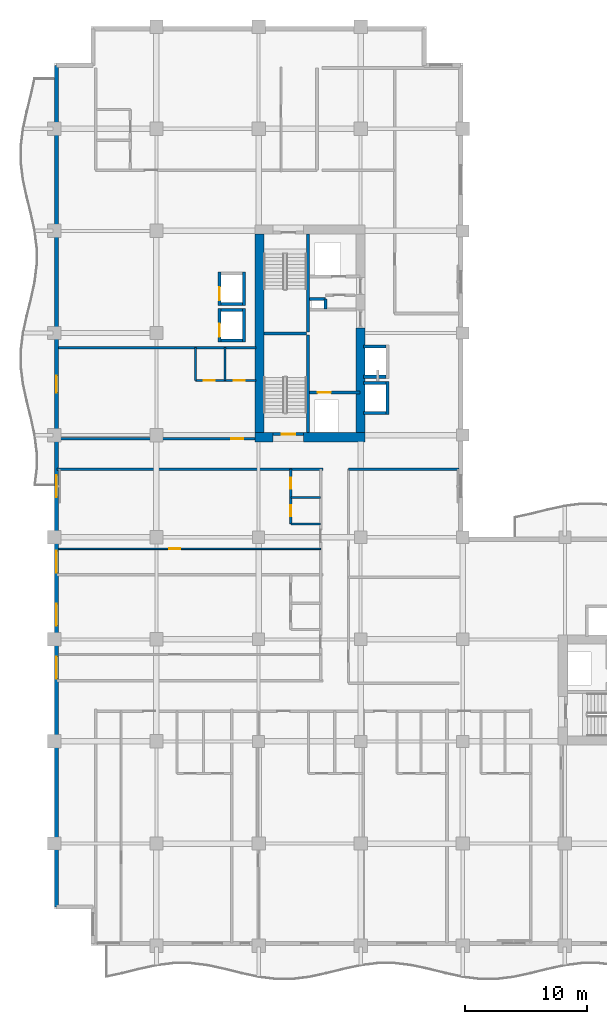
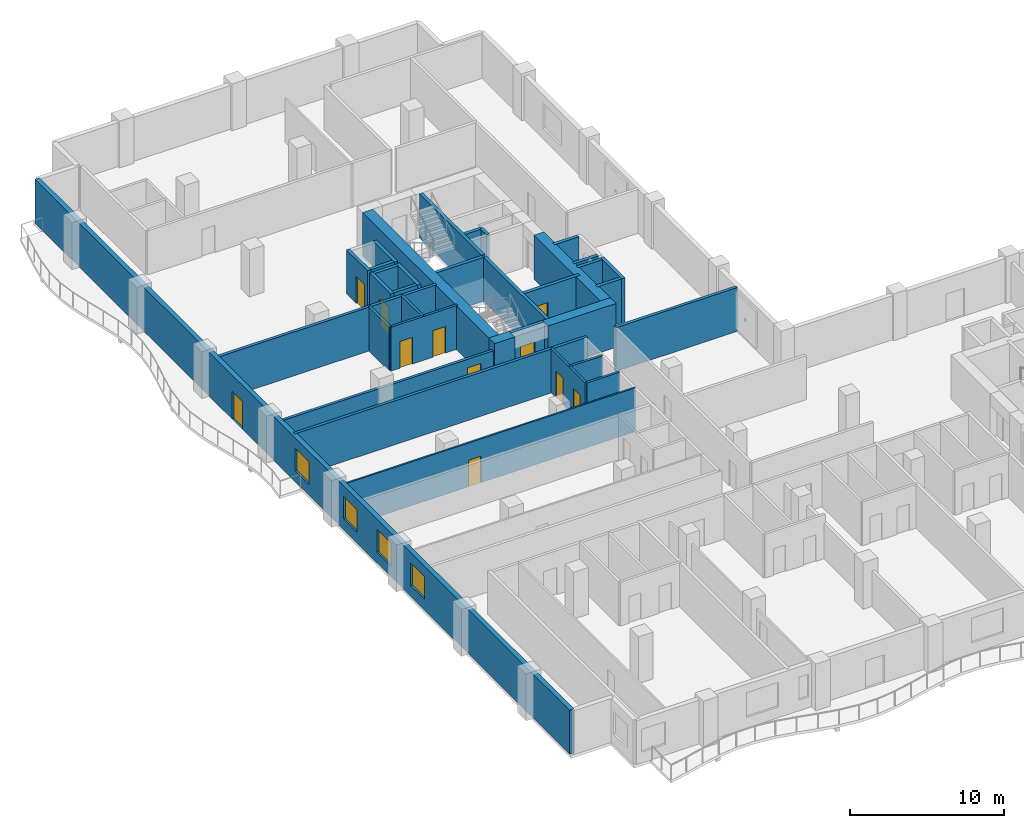
# One storey, part 7 of 16: 35 walls, 11 doors, 4 windows, 15 openings.
"""IFC4 building model written with IfcOpenShell, lengths in metres."""

from ifc_helpers import new_model, si_unit, direction, frame, frame_2d, origin, place, context, subcontext, project, spatial, rectangle, extrude, material, layer, layer_set, type_object, element, fill, save


model = new_model("IFC4")

# Units and contexts
model_context = context("Model", 3, precision=1e-05, world=origin(), true_north=direction((0.0, 1.0)))
body_context = subcontext(model_context, "Body", "Model", "MODEL_VIEW")
ifc_project = project(units=[si_unit("LENGTHUNIT", "METRE"), si_unit("AREAUNIT", "SQUARE_METRE"), si_unit("VOLUMEUNIT", "CUBIC_METRE"), si_unit("PLANEANGLEUNIT", "RADIAN"), si_unit("MASSUNIT", "GRAM", prefix="KILO")], contexts=[model_context])

# Site, building, storey
site_placement = place(None, origin())
site = spatial("IfcSite", under=ifc_project, at=site_placement, CompositionType="ELEMENT")
building_placement = place(site_placement, origin())
building = spatial("IfcBuilding", under=site, at=building_placement, Name="Koriwani Terraces Tower", CompositionType="ELEMENT")
storey_placement = place(building_placement, frame((0.0, 0.0, 186.5)))
storey = spatial("IfcBuildingStorey", under=building, at=storey_placement, Name="L45", CompositionType="ELEMENT", Elevation=186.5)

# Walls
ifc_material_1 = material(Name="Concrete C60/75", Category="concrete")
ifc_layer_1 = layer(ifc_material_1, 0.75, Name="Concrete C60/75")
ifc_layer_set_1 = layer_set([ifc_layer_1], Name="Concrete C60/75")
wall_type_1 = type_object("IfcWallType", Name="WALL_CORE_RC_750", PredefinedType="SHEAR", material=ifc_layer_set_1)
wall_1_placement = place(storey_placement, frame((16.5, 41.824951171875, 0.0), z_axis=(0.0, 0.0, 1.0), x_axis=(1.0, 0.0, 0.0)))
element("IfcWall", 1, at=wall_1_placement, inside=storey, type_object=wall_type_1, Name="L45 West Split Core Shear Wall S1", PredefinedType="SHEAR", context=body_context, shape_type="SweptSolid", body=[
    extrude(rectangle(XDim=1.5, YDim=0.75, at=frame_2d((0.75, 0.0))), origin(), (0.0, 0.0, 1.0), 3.469970703125),
])
wall_2_placement = place(storey_placement, frame((20.5, 41.824951171875, 0.0), z_axis=(0.0, 0.0, 1.0), x_axis=(1.0, 0.0, 0.0)))
element("IfcWall", 2, at=wall_2_placement, inside=storey, type_object=wall_type_1, Name="L45 West Split Core Shear Wall S2", PredefinedType="SHEAR", context=body_context, shape_type="SweptSolid", body=[
    extrude(rectangle(XDim=5.074951171875, YDim=0.75, at=frame_2d((2.53759765625, 0.0))), origin(), (0.0, 0.0, 1.0), 3.469970703125),
])
wall_3_placement = place(storey_placement, frame((16.875, 42.199951171875, 0.0), z_axis=(0.0, 0.0, 1.0), x_axis=(0.0, 1.0, 0.0)))
element("IfcWall", 3, at=wall_3_placement, inside=storey, type_object=wall_type_1, Name="L45 West Split Core Shear Wall W1", PredefinedType="SHEAR", context=body_context, shape_type="SweptSolid", body=[
    extrude(rectangle(XDim=16.35009765625, YDim=0.75, at=frame_2d((8.175048828125, 0.0))), origin(), (0.0, 0.0, 1.0), 3.469970703125),
])
wall_4_placement = place(storey_placement, frame((25.199951171875, 42.199951171875, 0.0), z_axis=(0.0, 0.0, 1.0), x_axis=(0.0, 1.0, 0.0)))
element("IfcWall", 4, at=wall_4_placement, inside=storey, type_object=wall_type_1, Name="L45 West Split Core Shear Wall E1", PredefinedType="SHEAR", context=body_context, shape_type="SweptSolid", body=[
    extrude(rectangle(XDim=8.60009765625, YDim=0.75, at=frame_2d((4.300048828125, 0.0))), origin(), (0.0, 0.0, 1.0), 3.469970703125),
])

# Wall, opening, door
ifc_material_2 = material(Name="Autoclaved Cellular Concrete Blockwork", Category="masonry")
ifc_layer_2 = layer(ifc_material_2, 0.199951171875, Name="Autoclaved Cellular Concrete Blockwork")
ifc_layer_set_2 = layer_set([ifc_layer_2], Name="Autoclaved Cellular Concrete Blockwork")
wall_type_2 = type_object("IfcWallType", Name="WALL_CORRIDOR_200", PredefinedType="PARTITIONING", material=ifc_layer_set_2)
wall_5_placement = place(storey_placement, frame((0.35009765625, 41.699951171875, 0.0), z_axis=(0.0, 0.0, 1.0), x_axis=(1.0, 0.0, 0.0)))
wall_5 = element("IfcWall", 5, at=wall_5_placement, inside=storey, type_object=wall_type_2, Name="L45 Interior Wall WREC-WS-L45", PredefinedType="PARTITIONING", context=body_context, shape_type="SweptSolid", body=[
    extrude(rectangle(XDim=16.25, YDim=0.199951171875, at=frame_2d((8.125, 0.0))), origin(), (0.0, 0.0, 1.0), 2.820068359375),
])
opening_1_placement = place(wall_5_placement, frame((14.199951171875, 0.0, 0.0)))
opening_1 = element("IfcOpeningElement", 6, at=opening_1_placement, cuts=wall_5, Name="Opening D-05", PredefinedType="OPENING", context=body_context, shape_type="SweptSolid", body=[
    extrude(rectangle(XDim=1.0, YDim=2.14990234375, at=frame_2d((0.5, 1.074951171875))), frame((0.0, 0.10986328125, 0.0), z_axis=(0.0, -1.0, 0.0), x_axis=(1.0, 0.0, 0.0)), (0.0, 0.0, 1.0), 0.219970703125),
])
ifc_material_3 = material(Name="Architectural Oak Fire Door", Category="wood")
door_type_1 = type_object("IfcDoorType", Name="DOOR_SUITE_ENTRY_1000X2150", OperationType="NOTDEFINED", PredefinedType="DOOR", material=ifc_material_3)
door_1_placement = place(opening_1_placement, origin())
door_1 = element("IfcDoor", 7, at=door_1_placement, inside=storey, type_object=door_type_1, Name="L45 Reclaimed West Suite Door", OperationType="SINGLE_SWING_LEFT", OverallHeight=2.14990234375, OverallWidth=1.0, PredefinedType="DOOR", context=body_context, shape_type="SweptSolid", body=[
    extrude(rectangle(XDim=1.0, YDim=2.14990234375, at=frame_2d((0.5, 1.074951171875))), frame((0.0, 0.02490234375, 0.0), z_axis=(0.0, -1.0, 0.0), x_axis=(1.0, 0.0, 0.0)), (0.0, 0.0, 1.0), 0.050048828125),
])
fill(opening_1, door_1)

# Walls
ifc_layer_3 = layer(ifc_material_2, 0.219970703125, Name="Autoclaved Cellular Concrete Blockwork")
ifc_layer_set_3 = layer_set([ifc_layer_3], Name="Autoclaved Cellular Concrete Blockwork")
wall_type_3 = type_object("IfcWallType", Name="WALL_DEMISING_220", PredefinedType="PARTITIONING", material=ifc_layer_set_3)
wall_6_placement = place(storey_placement, frame((0.35009765625, 49.199951171875, 0.0), z_axis=(0.0, 0.0, 1.0), x_axis=(1.0, 0.0, 0.0)))
element("IfcWall", 8, at=wall_6_placement, inside=storey, type_object=wall_type_3, Name="L45 Interior Wall WREC-WN-L45", PredefinedType="PARTITIONING", context=body_context, shape_type="SweptSolid", body=[
    extrude(rectangle(XDim=16.25, YDim=0.219970703125, at=frame_2d((8.125, 0.0))), origin(), (0.0, 0.0, 1.0), 3.469970703125),
])
wall_7_placement = place(storey_placement, frame((24.199951171875, 39.199951171875, 0.0), z_axis=(0.0, 0.0, 1.0), x_axis=(1.0, 0.0, 0.0)))
element("IfcWall", 9, at=wall_7_placement, inside=storey, type_object=wall_type_3, Name="L45 Interior Wall WIC2-N-L45", PredefinedType="PARTITIONING", context=body_context, shape_type="SweptSolid", body=[
    extrude(rectangle(XDim=9.10009765625, YDim=0.219970703125, at=frame_2d((4.550048828125, 0.0))), origin(), (0.0, 0.0, 1.0), 3.469970703125),
])
wall_8_placement = place(storey_placement, frame((0.199951171875, 39.199951171875, 0.0), z_axis=(0.0, 0.0, 1.0), x_axis=(1.0, 0.0, 0.0)))
element("IfcWall", 10, at=wall_8_placement, inside=storey, type_object=wall_type_3, Name="L45 Interior Wall WRDEME-L45-NW", PredefinedType="PARTITIONING", context=body_context, shape_type="SweptSolid", body=[
    extrude(rectangle(XDim=21.880126953125, YDim=0.219970703125, at=frame_2d((10.93994140625, 0.0))), origin(), (0.0, 0.0, 1.0), 3.469970703125),
])

# Wall, openings, door, windows
ifc_material_4 = material(Name="Concrete C50/60", Category="concrete")
ifc_layer_4 = layer(ifc_material_4, 0.35009765625, Name="Concrete C50/60")
ifc_layer_set_4 = layer_set([ifc_layer_4], Name="Concrete C50/60")
wall_type_4 = type_object("IfcWallType", Name="WALL_EXT_BRUTALIST_350", PredefinedType="STANDARD", material=ifc_layer_set_4)
wall_9_placement = place(storey_placement, frame((0.175048828125, 3.175048828125, 0.0), z_axis=(0.0, 0.0, 1.0), x_axis=(0.0, 1.0, 0.0)))
wall_9 = element("IfcWall", 11, at=wall_9_placement, inside=storey, type_object=wall_type_4, Name="L45 Fair-Faced Brutalist Exterior Wall (W)", PredefinedType="STANDARD", context=body_context, shape_type="SweptSolid", body=[
    extrude(rectangle(XDim=69.25, YDim=0.35009765625, at=frame_2d((34.625, 0.0))), origin(), (0.0, 0.0, 1.0), 3.469970703125),
])
opening_2_placement = place(wall_9_placement, frame((42.324951171875, 0.0, 0.0)))
opening_2 = element("IfcOpeningElement", 12, at=opening_2_placement, cuts=wall_9, Name="Opening D-09", PredefinedType="OPENING", context=body_context, shape_type="SweptSolid", body=[
    extrude(rectangle(XDim=1.39990234375, YDim=2.199951171875, at=frame_2d((0.699951171875, 1.10009765625))), frame((0.0, 0.18505859375, 0.0), z_axis=(0.0, -1.0, 0.0), x_axis=(1.0, 0.0, 0.0)), (0.0, 0.0, 1.0), 0.3701171875),
])
opening_3_placement = place(wall_9_placement, frame((33.72509765625, 0.0, 0.85009765625)))
opening_3 = element("IfcOpeningElement", 13, at=opening_3_placement, cuts=wall_9, Name="Opening W-04", PredefinedType="OPENING", context=body_context, shape_type="SweptSolid", body=[
    extrude(rectangle(XDim=1.800048828125, YDim=1.800048828125, at=frame_2d((0.89990234375, 0.89990234375))), frame((0.0, 0.18505859375, 0.0), z_axis=(0.0, -1.0, 0.0), x_axis=(1.0, 0.0, 0.0)), (0.0, 0.0, 1.0), 0.3701171875),
])
opening_4_placement = place(wall_9_placement, frame((18.800048828125, 0.0, 0.85009765625)))
opening_4 = element("IfcOpeningElement", 14, at=opening_4_placement, cuts=wall_9, Name="Opening W-04", PredefinedType="OPENING", context=body_context, shape_type="SweptSolid", body=[
    extrude(rectangle(XDim=1.800048828125, YDim=1.800048828125, at=frame_2d((0.89990234375, 0.89990234375))), frame((0.0, 0.18505859375, 0.0), z_axis=(0.0, -1.0, 0.0), x_axis=(1.0, 0.0, 0.0)), (0.0, 0.0, 1.0), 0.3701171875),
])
opening_5_placement = place(wall_9_placement, frame((23.14990234375, 0.0, 0.85009765625)))
opening_5 = element("IfcOpeningElement", 15, at=opening_5_placement, cuts=wall_9, Name="Opening W-04", PredefinedType="OPENING", context=body_context, shape_type="SweptSolid", body=[
    extrude(rectangle(XDim=1.800048828125, YDim=1.800048828125, at=frame_2d((0.89990234375, 0.89990234375))), frame((0.0, 0.18505859375, 0.0), z_axis=(0.0, -1.0, 0.0), x_axis=(1.0, 0.0, 0.0)), (0.0, 0.0, 1.0), 0.3701171875),
])
opening_6_placement = place(wall_9_placement, frame((27.5, 0.0, 0.85009765625)))
opening_6 = element("IfcOpeningElement", 16, at=opening_6_placement, cuts=wall_9, Name="Opening W-04", PredefinedType="OPENING", context=body_context, shape_type="SweptSolid", body=[
    extrude(rectangle(XDim=1.800048828125, YDim=1.800048828125, at=frame_2d((0.89990234375, 0.89990234375))), frame((0.0, 0.18505859375, 0.0), z_axis=(0.0, -1.0, 0.0), x_axis=(1.0, 0.0, 0.0)), (0.0, 0.0, 1.0), 0.3701171875),
])
ifc_material_5 = material(Name="Anodised Bronze Aluminium", Category="aluminium")
door_type_2 = type_object("IfcDoorType", Name="DOOR_BALCONY_GLAZED_1400X2200", OperationType="NOTDEFINED", PredefinedType="DOOR", material=ifc_material_5)
door_2_placement = place(opening_2_placement, origin())
door_2 = element("IfcDoor", 17, at=door_2_placement, inside=storey, type_object=door_type_2, Name="L45 West Balcony Glazed Door", OperationType="SINGLE_SWING_LEFT", OverallHeight=2.199951171875, OverallWidth=1.39990234375, PredefinedType="DOOR", context=body_context, shape_type="SweptSolid", body=[
    extrude(rectangle(XDim=1.39990234375, YDim=2.199951171875, at=frame_2d((0.699951171875, 1.10009765625))), frame((0.0, 0.02490234375, 0.0), z_axis=(0.0, -1.0, 0.0), x_axis=(1.0, 0.0, 0.0)), (0.0, 0.0, 1.0), 0.050048828125),
])
fill(opening_2, door_2)
ifc_material_6 = material(Name="Tempered Laminated Low-E Glass", Category="glass")
window_type = type_object("IfcWindowType", Name="WIN_RES_BED_1800X1800", PartitioningType="DOUBLE_PANEL_VERTICAL", PredefinedType="WINDOW", material=ifc_material_6)
window_1_placement = place(opening_3_placement, origin())
window_1 = element("IfcWindow", 18, at=window_1_placement, inside=storey, type_object=window_type, Name="L45 Exterior Window (W-12)", OverallHeight=1.800048828125, OverallWidth=1.800048828125, PartitioningType="SINGLE_PANEL", PredefinedType="WINDOW", context=body_context, shape_type="SweptSolid", body=[
    extrude(rectangle(XDim=1.800048828125, YDim=1.800048828125, at=frame_2d((0.89990234375, 0.89990234375))), frame((0.0, 0.030029296875, 0.0), z_axis=(0.0, -1.0, 0.0), x_axis=(1.0, 0.0, 0.0)), (0.0, 0.0, 1.0), 0.06005859375),
])
fill(opening_3, window_1)
window_2_placement = place(opening_4_placement, origin())
window_2 = element("IfcWindow", 19, at=window_2_placement, inside=storey, type_object=window_type, Name="L45 Exterior Window (W-R47)", OverallHeight=1.800048828125, OverallWidth=1.800048828125, PartitioningType="SINGLE_PANEL", PredefinedType="WINDOW", context=body_context, shape_type="SweptSolid", body=[
    extrude(rectangle(XDim=1.800048828125, YDim=1.800048828125, at=frame_2d((0.89990234375, 0.89990234375))), frame((0.0, 0.030029296875, 0.0), z_axis=(0.0, -1.0, 0.0), x_axis=(1.0, 0.0, 0.0)), (0.0, 0.0, 1.0), 0.06005859375),
])
fill(opening_4, window_2)
window_3_placement = place(opening_5_placement, origin())
window_3 = element("IfcWindow", 20, at=window_3_placement, inside=storey, type_object=window_type, Name="L45 Exterior Window (W-R48)", OverallHeight=1.800048828125, OverallWidth=1.800048828125, PartitioningType="SINGLE_PANEL", PredefinedType="WINDOW", context=body_context, shape_type="SweptSolid", body=[
    extrude(rectangle(XDim=1.800048828125, YDim=1.800048828125, at=frame_2d((0.89990234375, 0.89990234375))), frame((0.0, 0.030029296875, 0.0), z_axis=(0.0, -1.0, 0.0), x_axis=(1.0, 0.0, 0.0)), (0.0, 0.0, 1.0), 0.06005859375),
])
fill(opening_5, window_3)
window_4_placement = place(opening_6_placement, origin())
window_4 = element("IfcWindow", 21, at=window_4_placement, inside=storey, type_object=window_type, Name="L45 Exterior Window (W-R51)", OverallHeight=1.800048828125, OverallWidth=1.800048828125, PartitioningType="SINGLE_PANEL", PredefinedType="WINDOW", context=body_context, shape_type="SweptSolid", body=[
    extrude(rectangle(XDim=1.800048828125, YDim=1.800048828125, at=frame_2d((0.89990234375, 0.89990234375))), frame((0.0, 0.030029296875, 0.0), z_axis=(0.0, -1.0, 0.0), x_axis=(1.0, 0.0, 0.0)), (0.0, 0.0, 1.0), 0.06005859375),
])
fill(opening_6, window_4)

# Wall, opening, door
ifc_material_7 = material(Name="Fire-Rated Acoustic Gypsum Partition", Category="masonry")
ifc_layer_5 = layer(ifc_material_7, 0.125, Name="Fire-Rated Acoustic Gypsum Partition")
ifc_layer_set_5 = layer_set([ifc_layer_5], Name="Fire-Rated Acoustic Gypsum Partition")
wall_type_5 = type_object("IfcWallType", Name="WALL_INT_125", PredefinedType="PARTITIONING", material=ifc_layer_set_5)
wall_10_placement = place(storey_placement, frame((0.35009765625, 32.64990234375, 0.0), z_axis=(0.0, 0.0, 1.0), x_axis=(1.0, 0.0, 0.0)))
wall_10 = element("IfcWall", 22, at=wall_10_placement, inside=storey, type_object=wall_type_5, Name="L45 Interior Wall WRBED1-L45-NW-1", PredefinedType="PARTITIONING", context=body_context, shape_type="SweptSolid", body=[
    extrude(rectangle(XDim=21.5498046875, YDim=0.125, at=frame_2d((10.77490234375, 0.0))), origin(), (0.0, 0.0, 1.0), 3.469970703125),
])
opening_7_placement = place(wall_10_placement, frame((9.090087890625, 0.0, 0.0)))
opening_7 = element("IfcOpeningElement", 23, at=opening_7_placement, cuts=wall_10, Name="Opening D-06", PredefinedType="OPENING", context=body_context, shape_type="SweptSolid", body=[
    extrude(rectangle(XDim=0.919921875, YDim=2.10009765625, at=frame_2d((0.4599609375, 1.050048828125))), frame((0.0, 0.072509765625, 0.0), z_axis=(0.0, -1.0, 0.0), x_axis=(1.0, 0.0, 0.0)), (0.0, 0.0, 1.0), 0.14501953125),
])
door_type_3 = type_object("IfcDoorType", Name="DOOR_ROOM_INT_920X2100", OperationType="NOTDEFINED", PredefinedType="DOOR", material=ifc_material_3)
door_3_placement = place(opening_7_placement, origin())
door_3 = element("IfcDoor", 24, at=door_3_placement, inside=storey, type_object=door_type_3, Name="Apartment 45NW2 Master Bedroom Door", OperationType="SINGLE_SWING_RIGHT", OverallHeight=2.10009765625, OverallWidth=0.919921875, PredefinedType="DOOR", context=body_context, shape_type="SweptSolid", body=[
    extrude(rectangle(XDim=0.919921875, YDim=2.10009765625, at=frame_2d((0.4599609375, 1.050048828125))), frame((0.0, 0.02490234375, 0.0), z_axis=(0.0, -1.0, 0.0), x_axis=(1.0, 0.0, 0.0)), (0.0, 0.0, 1.0), 0.050048828125),
])
fill(opening_7, door_3)

# Wall, openings, doors
ifc_layer_6 = layer(ifc_material_7, 0.179931640625, Name="Fire-Rated Acoustic Gypsum Partition")
ifc_layer_set_6 = layer_set([ifc_layer_6], Name="Fire-Rated Acoustic Gypsum Partition")
wall_type_6 = type_object("IfcWallType", Name="WALL_PLUMBING_180", PredefinedType="PLUMBINGWALL", material=ifc_layer_set_6)
wall_11_placement = place(storey_placement, frame((11.60009765625, 46.5, 0.0), z_axis=(0.0, 0.0, 1.0), x_axis=(1.0, 0.0, 0.0)))
wall_11 = element("IfcWall", 25, at=wall_11_placement, inside=storey, type_object=wall_type_6, Name="L45 Interior Wall WREC-WBB-L45", PredefinedType="PLUMBINGWALL", context=body_context, shape_type="SweptSolid", body=[
    extrude(rectangle(XDim=5.0, YDim=0.179931640625, at=frame_2d((2.5, 0.0))), origin(), (0.0, 0.0, 1.0), 3.469970703125),
])
opening_8_placement = place(wall_11_placement, frame((0.699951171875, 0.0, 0.0)))
opening_8 = element("IfcOpeningElement", 26, at=opening_8_placement, cuts=wall_11, Name="Opening D-07", PredefinedType="OPENING", context=body_context, shape_type="SweptSolid", body=[
    extrude(rectangle(XDim=0.89990234375, YDim=2.10009765625, at=frame_2d((0.449951171875, 1.050048828125))), frame((0.0, 0.10009765625, 0.0), z_axis=(0.0, -1.0, 0.0), x_axis=(1.0, 0.0, 0.0)), (0.0, 0.0, 1.0), 0.199951171875),
])
opening_9_placement = place(wall_11_placement, frame((3.14990234375, 0.0, 0.0)))
opening_9 = element("IfcOpeningElement", 27, at=opening_9_placement, cuts=wall_11, Name="Opening D-06", PredefinedType="OPENING", context=body_context, shape_type="SweptSolid", body=[
    extrude(rectangle(XDim=0.919921875, YDim=2.10009765625, at=frame_2d((0.4599609375, 1.050048828125))), frame((0.0, 0.10009765625, 0.0), z_axis=(0.0, -1.0, 0.0), x_axis=(1.0, 0.0, 0.0)), (0.0, 0.0, 1.0), 0.199951171875),
])
door_type_4 = type_object("IfcDoorType", Name="DOOR_BATH_INT_900X2100", OperationType="NOTDEFINED", PredefinedType="DOOR", material=ifc_material_3)
door_4_placement = place(opening_8_placement, origin())
door_4 = element("IfcDoor", 28, at=door_4_placement, inside=storey, type_object=door_type_4, Name="Apartment 45RW Bathroom Door", OperationType="SINGLE_SWING_RIGHT", OverallHeight=2.10009765625, OverallWidth=0.89990234375, PredefinedType="DOOR", context=body_context, shape_type="SweptSolid", body=[
    extrude(rectangle(XDim=0.89990234375, YDim=2.10009765625, at=frame_2d((0.449951171875, 1.050048828125))), frame((0.0, 0.02490234375, 0.0), z_axis=(0.0, -1.0, 0.0), x_axis=(1.0, 0.0, 0.0)), (0.0, 0.0, 1.0), 0.050048828125),
])
fill(opening_8, door_4)
door_5_placement = place(opening_9_placement, origin())
door_5 = element("IfcDoor", 29, at=door_5_placement, inside=storey, type_object=door_type_3, Name="Apartment 45RW Kitchen Door", OperationType="SINGLE_SWING_LEFT", OverallHeight=2.10009765625, OverallWidth=0.919921875, PredefinedType="DOOR", context=body_context, shape_type="SweptSolid", body=[
    extrude(rectangle(XDim=0.919921875, YDim=2.10009765625, at=frame_2d((0.4599609375, 1.050048828125))), frame((0.0, 0.02490234375, 0.0), z_axis=(0.0, -1.0, 0.0), x_axis=(1.0, 0.0, 0.0)), (0.0, 0.0, 1.0), 0.050048828125),
])
fill(opening_9, door_5)

# Walls
for number, where, z_axis, x_axis, name in (
    (30, (11.60009765625, 46.5, 0.0), (0.0, 0.0, 1.0), (0.0, 1.0, 0.0), "L45 Interior Wall WREC-WB2-L45"),
    (31, (14.050048828125, 46.5, 0.0), (0.0, 0.0, 1.0), (0.0, 1.0, 0.0), "L45 Interior Wall WREC-WB3-L45"),
):
    element("IfcWall", number, at=place(storey_placement, frame(where, z_axis=z_axis, x_axis=x_axis)), inside=storey, type_object=wall_type_6, Name=name, PredefinedType="PLUMBINGWALL", context=body_context, shape_type="SweptSolid", body=[
        extrude(rectangle(XDim=2.699951171875, YDim=0.179931640625, at=frame_2d((1.35009765625, 0.0))), origin(), (0.0, 0.0, 1.0), 3.469970703125),
    ])

# Wall, openings, doors
wall_12_placement = place(storey_placement, frame((19.449951171875, 34.699951171875, 0.0), z_axis=(0.0, 0.0, 1.0), x_axis=(0.0, 1.0, 0.0)))
wall_12 = element("IfcWall", 32, at=wall_12_placement, inside=storey, type_object=wall_type_6, Name="L45 Interior Wall WRSVC-L45-NW-1", PredefinedType="PLUMBINGWALL", context=body_context, shape_type="SweptSolid", body=[
    extrude(rectangle(XDim=4.5, YDim=0.179931640625, at=frame_2d((2.25, 0.0))), origin(), (0.0, 0.0, 1.0), 3.469970703125),
])
opening_10_placement = place(wall_12_placement, frame((0.6298828125, 0.0, 0.0)))
opening_10 = element("IfcOpeningElement", 33, at=opening_10_placement, cuts=wall_12, Name="Opening D-07", PredefinedType="OPENING", context=body_context, shape_type="SweptSolid", body=[
    extrude(rectangle(XDim=0.89990234375, YDim=2.10009765625, at=frame_2d((0.449951171875, 1.050048828125))), frame((0.0, 0.10009765625, 0.0), z_axis=(0.0, -1.0, 0.0), x_axis=(1.0, 0.0, 0.0)), (0.0, 0.0, 1.0), 0.199951171875),
])
opening_11_placement = place(wall_12_placement, frame((2.8701171875, 0.0, 0.0)))
opening_11 = element("IfcOpeningElement", 34, at=opening_11_placement, cuts=wall_12, Name="Opening D-06", PredefinedType="OPENING", context=body_context, shape_type="SweptSolid", body=[
    extrude(rectangle(XDim=0.919921875, YDim=2.10009765625, at=frame_2d((0.4599609375, 1.050048828125))), frame((0.0, 0.10009765625, 0.0), z_axis=(0.0, -1.0, 0.0), x_axis=(1.0, 0.0, 0.0)), (0.0, 0.0, 1.0), 0.199951171875),
])
door_6_placement = place(opening_10_placement, origin())
door_6 = element("IfcDoor", 35, at=door_6_placement, inside=storey, type_object=door_type_4, Name="Apartment 45NW2 Bathroom Door", OperationType="SINGLE_SWING_RIGHT", OverallHeight=2.10009765625, OverallWidth=0.89990234375, PredefinedType="DOOR", context=body_context, shape_type="SweptSolid", body=[
    extrude(rectangle(XDim=0.89990234375, YDim=2.10009765625, at=frame_2d((0.449951171875, 1.050048828125))), frame((0.0, 0.02490234375, 0.0), z_axis=(0.0, -1.0, 0.0), x_axis=(1.0, 0.0, 0.0)), (0.0, 0.0, 1.0), 0.050048828125),
])
fill(opening_10, door_6)
door_7_placement = place(opening_11_placement, origin())
door_7 = element("IfcDoor", 36, at=door_7_placement, inside=storey, type_object=door_type_3, Name="Apartment 45NW2 Kitchen Door", OperationType="SINGLE_SWING_LEFT", OverallHeight=2.10009765625, OverallWidth=0.919921875, PredefinedType="DOOR", context=body_context, shape_type="SweptSolid", body=[
    extrude(rectangle(XDim=0.919921875, YDim=2.10009765625, at=frame_2d((0.4599609375, 1.050048828125))), frame((0.0, 0.02490234375, 0.0), z_axis=(0.0, -1.0, 0.0), x_axis=(1.0, 0.0, 0.0)), (0.0, 0.0, 1.0), 0.050048828125),
])
fill(opening_11, door_7)

# Walls
for number, where, z_axis, x_axis, name in (
    (37, (19.449951171875, 34.699951171875, 0.0), (0.0, 0.0, 1.0), (1.0, 0.0, 0.0), "L45 Interior Wall WRSVCS-L45-NW-1"),
    (38, (19.449951171875, 36.860107421875, 0.0), (0.0, 0.0, 1.0), (1.0, 0.0, 0.0), "L45 Interior Wall WRSVCM-L45-NW-1"),
):
    element("IfcWall", number, at=place(storey_placement, frame(where, z_axis=z_axis, x_axis=x_axis)), inside=storey, type_object=wall_type_6, Name=name, PredefinedType="PLUMBINGWALL", context=body_context, shape_type="SweptSolid", body=[
        extrude(rectangle(XDim=2.449951171875, YDim=0.179931640625, at=frame_2d((1.22509765625, 0.0))), origin(), (0.0, 0.0, 1.0), 3.469970703125),
    ])
ifc_material_8 = material(Name="Concrete C40/50", Category="concrete")
ifc_layer_7 = layer(ifc_material_8, 0.25, Name="Concrete C40/50")
ifc_layer_set_7 = layer_set([ifc_layer_7], Name="Concrete C40/50")
wall_type_7 = type_object("IfcWallType", Name="WALL_SHAFT_RATED_250", PredefinedType="SOLIDWALL", material=ifc_layer_set_7)
for number, where, z_axis, x_axis, name in (
    (39, (20.875, 42.199951171875, 0.0), (0.0, 0.0, 1.0), (0.0, 1.0, 0.0), "L45 West Split Core Web Wall MID1"),
    (40, (20.875, 50.5, 0.0), (0.0, 0.0, 1.0), (0.0, 1.0, 0.0), "L45 West Split Core Web Wall MID2"),
):
    element("IfcWall", number, at=place(storey_placement, frame(where, z_axis=z_axis, x_axis=x_axis)), inside=storey, type_object=wall_type_7, Name=name, PredefinedType="SOLIDWALL", context=body_context, shape_type="SweptSolid", body=[
        extrude(rectangle(XDim=8.050048828125, YDim=0.25, at=frame_2d((4.02490234375, 0.0))), origin(), (0.0, 0.0, 1.0), 3.469970703125),
    ])
wall_13_placement = place(storey_placement, frame((17.25, 50.375, 0.0), z_axis=(0.0, 0.0, 1.0), x_axis=(1.0, 0.0, 0.0)))
element("IfcWall", 41, at=wall_13_placement, inside=storey, type_object=wall_type_7, Name="L45 West Split Core Stair Dividing Wall", PredefinedType="SOLIDWALL", context=body_context, shape_type="SweptSolid", body=[
    extrude(rectangle(XDim=3.5, YDim=0.25, at=frame_2d((1.75, 0.0))), origin(), (0.0, 0.0, 1.0), 3.469970703125),
])

# Wall, opening, door
wall_14_placement = place(storey_placement, frame((18.0, 42.074951171875, 0.0), z_axis=(0.0, 0.0, 1.0), x_axis=(1.0, 0.0, 0.0)))
wall_14 = element("IfcWall", 42, at=wall_14_placement, inside=storey, type_object=wall_type_7, Name="L45 Interior Wall WIN-CW-L45-STS", PredefinedType="SOLIDWALL", context=body_context, shape_type="SweptSolid", body=[
    extrude(rectangle(XDim=2.5, YDim=0.25, at=frame_2d((1.25, 0.0))), origin(), (0.0, 0.0, 1.0), 3.469970703125),
])
opening_12_placement = place(wall_14_placement, frame((0.699951171875, 0.0, 0.0)))
opening_12 = element("IfcOpeningElement", 43, at=opening_12_placement, cuts=wall_14, Name="Opening D-03", PredefinedType="OPENING", context=body_context, shape_type="SweptSolid", body=[
    extrude(rectangle(XDim=1.10009765625, YDim=2.14990234375, at=frame_2d((0.550048828125, 1.074951171875))), frame((0.0, 0.135009765625, 0.0), z_axis=(0.0, -1.0, 0.0), x_axis=(1.0, 0.0, 0.0)), (0.0, 0.0, 1.0), 0.27001953125),
])
ifc_material_9 = material(Name="Steel ASTM A572 Grade 50", Category="steel")
door_type_5 = type_object("IfcDoorType", Name="DOOR_STAIR_FIRE_1100X2150", OperationType="NOTDEFINED", PredefinedType="DOOR", material=ifc_material_9)
door_8_placement = place(opening_12_placement, origin())
door_8 = element("IfcDoor", 44, at=door_8_placement, inside=storey, type_object=door_type_5, Name="L45 Exit Stair ST-W1 Door", OperationType="SINGLE_SWING_LEFT", OverallHeight=2.14990234375, OverallWidth=1.10009765625, PredefinedType="DOOR", context=body_context, shape_type="SweptSolid", body=[
    extrude(rectangle(XDim=1.10009765625, YDim=2.14990234375, at=frame_2d((0.550048828125, 1.074951171875))), frame((0.0, 0.02490234375, 0.0), z_axis=(0.0, -1.0, 0.0), x_axis=(1.0, 0.0, 0.0)), (0.0, 0.0, 1.0), 0.050048828125),
])
fill(opening_12, door_8)

wall_15_placement = place(storey_placement, frame((21.0, 45.5, 0.0), z_axis=(0.0, 0.0, 1.0), x_axis=(1.0, 0.0, 0.0)))
wall_15 = element("IfcWall", 45, at=wall_15_placement, inside=storey, type_object=wall_type_7, Name="L45 Interior Wall WIN-CW-L45-FE", PredefinedType="SOLIDWALL", context=body_context, shape_type="SweptSolid", body=[
    extrude(rectangle(XDim=4.14990234375, YDim=0.25, at=frame_2d((2.074951171875, 0.0))), origin(), (0.0, 0.0, 1.0), 3.469970703125),
])
opening_13_placement = place(wall_15_placement, frame((0.64990234375, 0.0, 0.0)))
opening_13 = element("IfcOpeningElement", 46, at=opening_13_placement, cuts=wall_15, Name="Opening LD-01", PredefinedType="OPENING", context=body_context, shape_type="SweptSolid", body=[
    extrude(rectangle(XDim=1.10009765625, YDim=2.14990234375, at=frame_2d((0.550048828125, 1.074951171875))), frame((0.0, 0.135009765625, 0.0), z_axis=(0.0, -1.0, 0.0), x_axis=(1.0, 0.0, 0.0)), (0.0, 0.0, 1.0), 0.27001953125),
])
door_type_6 = type_object("IfcDoorType", Name="DOOR_LIFT_LANDING_1100X2200", OperationType="NOTDEFINED", PredefinedType="DOOR", material=ifc_material_9)
door_9_placement = place(opening_13_placement, origin())
door_9 = element("IfcDoor", 47, at=door_9_placement, inside=storey, type_object=door_type_6, Name="L45 Firefighting Lift FE-01 Landing Door", OperationType="SLIDING_TO_LEFT", OverallHeight=2.14990234375, OverallWidth=1.10009765625, PredefinedType="DOOR", context=body_context, shape_type="SweptSolid", body=[
    extrude(rectangle(XDim=1.10009765625, YDim=2.14990234375, at=frame_2d((0.550048828125, 1.074951171875))), frame((0.0, 0.02490234375, 0.0), z_axis=(0.0, -1.0, 0.0), x_axis=(1.0, 0.0, 0.0)), (0.0, 0.0, 1.0), 0.050048828125),
])
fill(opening_13, door_9)

# Walls
wall_16_placement = place(storey_placement, frame((21.0, 53.199951171875, 0.0), z_axis=(0.0, 0.0, 1.0), x_axis=(1.0, 0.0, 0.0)))
element("IfcWall", 48, at=wall_16_placement, inside=storey, type_object=wall_type_7, Name="L45 Interior Wall WIN-CW-L45-RS1", PredefinedType="SOLIDWALL", context=body_context, shape_type="SweptSolid", body=[
    extrude(rectangle(XDim=1.300048828125, YDim=0.25, at=frame_2d((0.64990234375, 0.0))), origin(), (0.0, 0.0, 1.0), 3.469970703125),
])
wall_17_placement = place(storey_placement, frame((22.300048828125, 52.360107421875, 0.0), z_axis=(0.0, 0.0, 1.0), x_axis=(0.0, 1.0, 0.0)))
element("IfcWall", 49, at=wall_17_placement, inside=storey, type_object=wall_type_7, Name="L45 Interior Wall WIN-CW-L45-RS2", PredefinedType="SOLIDWALL", context=body_context, shape_type="SweptSolid", body=[
    extrude(rectangle(XDim=0.83984375, YDim=0.25, at=frame_2d((0.419921875, 0.0))), origin(), (0.0, 0.0, 1.0), 3.469970703125),
])

# Wall, opening, door
wall_18_placement = place(storey_placement, frame((13.60009765625, 49.675048828125, 0.0), z_axis=(0.0, 0.0, 1.0), x_axis=(0.0, 1.0, 0.0)))
wall_18 = element("IfcWall", 50, at=wall_18_placement, inside=storey, type_object=wall_type_7, Name="L45 Interior Wall WIN-LF-PE-M1-L45-F", PredefinedType="SOLIDWALL", context=body_context, shape_type="SweptSolid", body=[
    extrude(rectangle(XDim=2.75, YDim=0.25, at=frame_2d((1.375, 0.0))), origin(), (0.0, 0.0, 1.0), 3.469970703125),
])
opening_14_placement = place(wall_18_placement, frame((0.39990234375, 0.0, 0.0)))
opening_14 = element("IfcOpeningElement", 51, at=opening_14_placement, cuts=wall_18, Name="Opening LD-01", PredefinedType="OPENING", context=body_context, shape_type="SweptSolid", body=[
    extrude(rectangle(XDim=1.10009765625, YDim=2.14990234375, at=frame_2d((0.550048828125, 1.074951171875))), frame((0.0, 0.135009765625, 0.0), z_axis=(0.0, -1.0, 0.0), x_axis=(1.0, 0.0, 0.0)), (0.0, 0.0, 1.0), 0.27001953125),
])
door_10_placement = place(opening_14_placement, origin())
door_10 = element("IfcDoor", 52, at=door_10_placement, inside=storey, type_object=door_type_6, Name="L45 Passenger Lift PE-M1 Landing Door", OperationType="SLIDING_TO_LEFT", OverallHeight=2.14990234375, OverallWidth=1.10009765625, PredefinedType="DOOR", context=body_context, shape_type="SweptSolid", body=[
    extrude(rectangle(XDim=1.10009765625, YDim=2.14990234375, at=frame_2d((0.550048828125, 1.074951171875))), frame((0.0, 0.02490234375, 0.0), z_axis=(0.0, -1.0, 0.0), x_axis=(1.0, 0.0, 0.0)), (0.0, 0.0, 1.0), 0.050048828125),
])
fill(opening_14, door_10)

# Walls
wall_19_placement = place(storey_placement, frame((15.60009765625, 49.675048828125, 0.0), z_axis=(0.0, 0.0, 1.0), x_axis=(0.0, 1.0, 0.0)))
element("IfcWall", 53, at=wall_19_placement, inside=storey, type_object=wall_type_7, Name="L45 Interior Wall WIN-LF-PE-M1-L45-B", PredefinedType="SOLIDWALL", context=body_context, shape_type="SweptSolid", body=[
    extrude(rectangle(XDim=2.75, YDim=0.25, at=frame_2d((1.375, 0.0))), origin(), (0.0, 0.0, 1.0), 3.469970703125),
])
for number, where, z_axis, x_axis, name in (
    (54, (13.72509765625, 49.800048828125, 0.0), (0.0, 0.0, 1.0), (1.0, 0.0, 0.0), "L45 Interior Wall WIN-LF-PE-M1-L45-S"),
    (55, (13.72509765625, 52.300048828125, 0.0), (0.0, 0.0, 1.0), (1.0, 0.0, 0.0), "L45 Interior Wall WIN-LF-PE-M1-L45-N"),
):
    element("IfcWall", number, at=place(storey_placement, frame(where, z_axis=z_axis, x_axis=x_axis)), inside=storey, type_object=wall_type_7, Name=name, PredefinedType="SOLIDWALL", context=body_context, shape_type="SweptSolid", body=[
        extrude(rectangle(XDim=1.75, YDim=0.25, at=frame_2d((0.875, 0.0))), origin(), (0.0, 0.0, 1.0), 3.469970703125),
    ])

# Wall, opening, door
wall_20_placement = place(storey_placement, frame((13.60009765625, 52.675048828125, 0.0), z_axis=(0.0, 0.0, 1.0), x_axis=(0.0, 1.0, 0.0)))
wall_20 = element("IfcWall", 56, at=wall_20_placement, inside=storey, type_object=wall_type_7, Name="L45 Interior Wall WIN-LF-PE-M2-L45-F", PredefinedType="SOLIDWALL", context=body_context, shape_type="SweptSolid", body=[
    extrude(rectangle(XDim=2.75, YDim=0.25, at=frame_2d((1.375, 0.0))), origin(), (0.0, 0.0, 1.0), 3.469970703125),
])
opening_15_placement = place(wall_20_placement, frame((0.39990234375, 0.0, 0.0)))
opening_15 = element("IfcOpeningElement", 57, at=opening_15_placement, cuts=wall_20, Name="Opening LD-01", PredefinedType="OPENING", context=body_context, shape_type="SweptSolid", body=[
    extrude(rectangle(XDim=1.10009765625, YDim=2.14990234375, at=frame_2d((0.550048828125, 1.074951171875))), frame((0.0, 0.135009765625, 0.0), z_axis=(0.0, -1.0, 0.0), x_axis=(1.0, 0.0, 0.0)), (0.0, 0.0, 1.0), 0.27001953125),
])
door_11_placement = place(opening_15_placement, origin())
door_11 = element("IfcDoor", 58, at=door_11_placement, inside=storey, type_object=door_type_6, Name="L45 Passenger Lift PE-M2 Landing Door", OperationType="SLIDING_TO_LEFT", OverallHeight=2.14990234375, OverallWidth=1.10009765625, PredefinedType="DOOR", context=body_context, shape_type="SweptSolid", body=[
    extrude(rectangle(XDim=1.10009765625, YDim=2.14990234375, at=frame_2d((0.550048828125, 1.074951171875))), frame((0.0, 0.02490234375, 0.0), z_axis=(0.0, -1.0, 0.0), x_axis=(1.0, 0.0, 0.0)), (0.0, 0.0, 1.0), 0.050048828125),
])
fill(opening_15, door_11)

# Walls
wall_21_placement = place(storey_placement, frame((15.60009765625, 52.675048828125, 0.0), z_axis=(0.0, 0.0, 1.0), x_axis=(0.0, 1.0, 0.0)))
element("IfcWall", 59, at=wall_21_placement, inside=storey, type_object=wall_type_7, Name="L45 Interior Wall WIN-LF-PE-M2-L45-B", PredefinedType="SOLIDWALL", context=body_context, shape_type="SweptSolid", body=[
    extrude(rectangle(XDim=2.75, YDim=0.25, at=frame_2d((1.375, 0.0))), origin(), (0.0, 0.0, 1.0), 3.469970703125),
])
wall_22_placement = place(storey_placement, frame((13.72509765625, 52.800048828125, 0.0), z_axis=(0.0, 0.0, 1.0), x_axis=(1.0, 0.0, 0.0)))
element("IfcWall", 60, at=wall_22_placement, inside=storey, type_object=wall_type_7, Name="L45 Interior Wall WIN-LF-PE-M2-L45-S", PredefinedType="SOLIDWALL", context=body_context, shape_type="SweptSolid", body=[
    extrude(rectangle(XDim=1.75, YDim=0.25, at=frame_2d((0.875, 0.0))), origin(), (0.0, 0.0, 1.0), 3.469970703125),
])
wall_23_placement = place(storey_placement, frame((27.39990234375, 43.675048828125, 0.0), z_axis=(0.0, 0.0, 1.0), x_axis=(0.0, 1.0, 0.0)))
element("IfcWall", 61, at=wall_23_placement, inside=storey, type_object=wall_type_7, Name="L45 Interior Wall WIN-LF-PE-H1-L45-F", PredefinedType="SOLIDWALL", context=body_context, shape_type="SweptSolid", body=[
    extrude(rectangle(XDim=2.75, YDim=0.25, at=frame_2d((1.375, 0.0))), origin(), (0.0, 0.0, 1.0), 3.469970703125),
])
for number, where, z_axis, x_axis, name in (
    (62, (25.449951171875, 43.800048828125, 0.0), (0.0, 0.0, 1.0), (1.0, 0.0, 0.0), "L45 Interior Wall WIN-LF-PE-H1-L45-S"),
    (63, (25.449951171875, 46.300048828125, 0.0), (0.0, 0.0, 1.0), (1.0, 0.0, 0.0), "L45 Interior Wall WIN-LF-PE-H1-L45-N"),
    (64, (25.449951171875, 46.800048828125, 0.0), (0.0, 0.0, 1.0), (1.0, 0.0, 0.0), "L45 Interior Wall WIN-LF-PE-H2-L45-S"),
    (65, (25.449951171875, 49.300048828125, 0.0), (0.0, 0.0, 1.0), (1.0, 0.0, 0.0), "L45 Interior Wall WIN-LF-PE-H2-L45-N"),
):
    element("IfcWall", number, at=place(storey_placement, frame(where, z_axis=z_axis, x_axis=x_axis)), inside=storey, type_object=wall_type_7, Name=name, PredefinedType="SOLIDWALL", context=body_context, shape_type="SweptSolid", body=[
        extrude(rectangle(XDim=1.824951171875, YDim=0.25, at=frame_2d((0.91259765625, 0.0))), origin(), (0.0, 0.0, 1.0), 3.469970703125),
    ])

save(model, "model.ifc")
